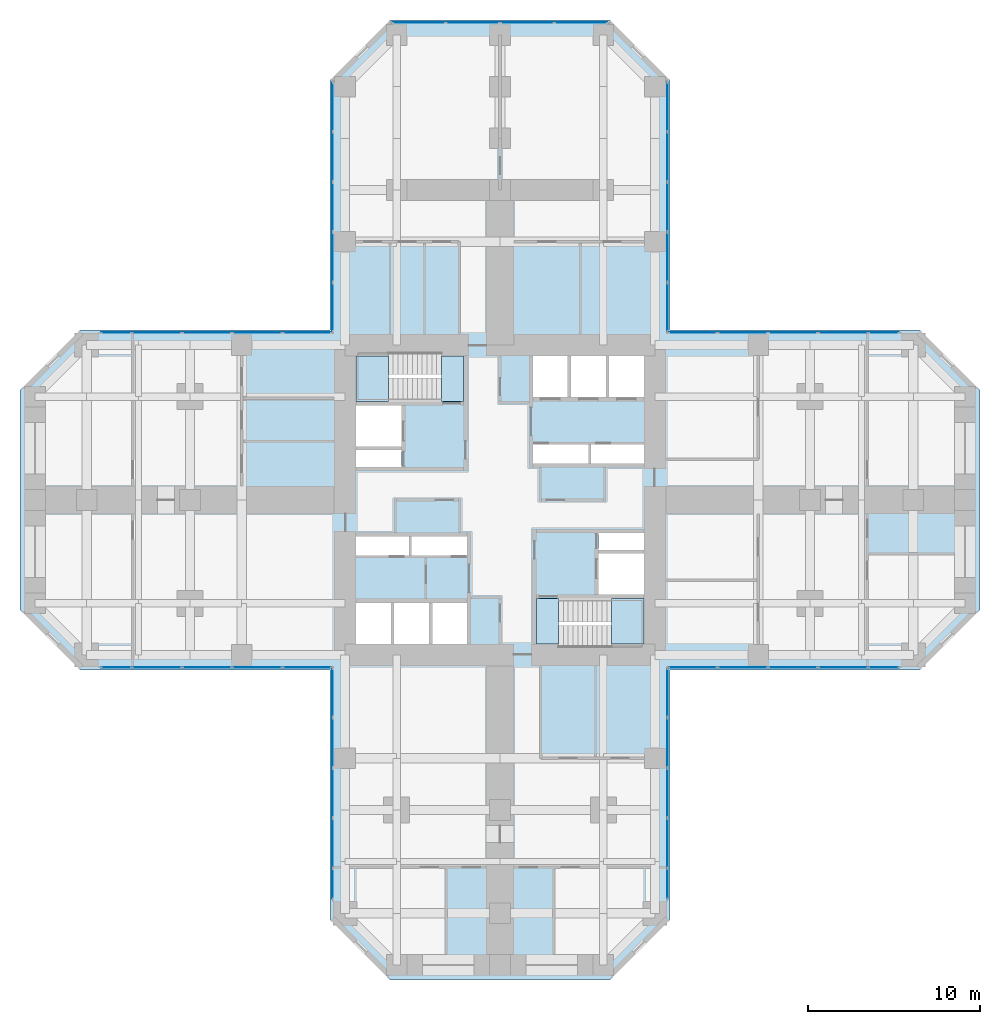
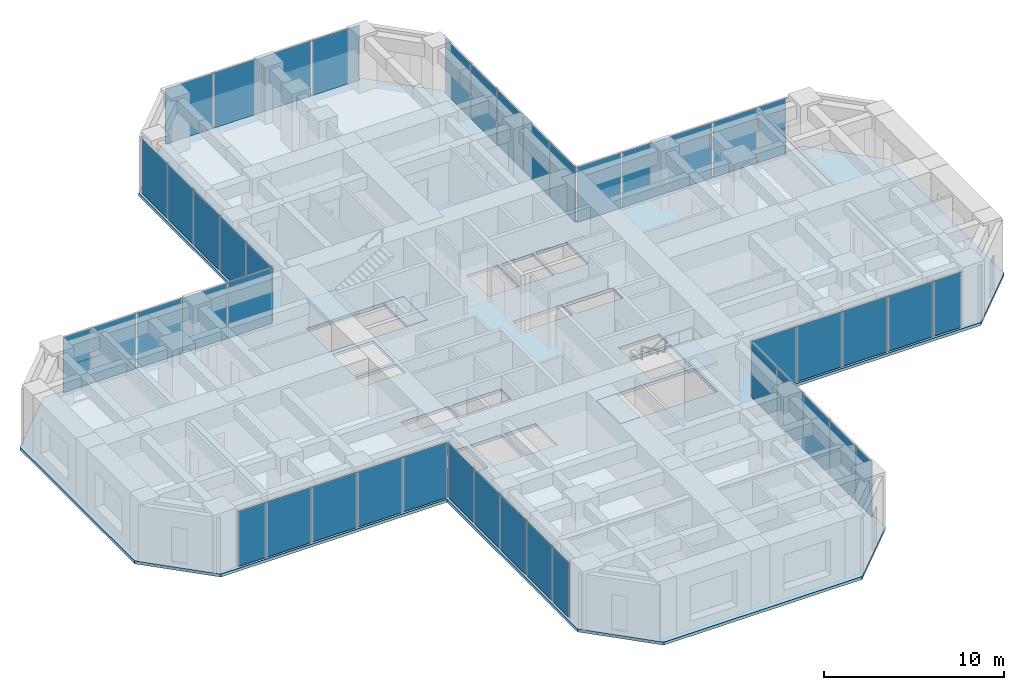
# One storey, part 7 of 13: 44 plates, 5 slabs, 11 elements without a shape of their own.
"""IFC4 building model written with IfcOpenShell, lengths in metres."""

from ifc_helpers import new_model, si_unit, direction, frame, origin, origin_2d, place, context, subcontext, project, spatial, polyline, rectangle, outline, extrude, material, layer, layer_set, type_object, element, aggregate, save


model = new_model("IFC4")

# Units and contexts
model_context = context("Model", 3, precision=1e-05, world=origin(), true_north=direction((0.0, 1.0)))
body_context = subcontext(model_context, "Body", "Model", "MODEL_VIEW")
ifc_project = project(units=[si_unit("LENGTHUNIT", "METRE"), si_unit("AREAUNIT", "SQUARE_METRE"), si_unit("VOLUMEUNIT", "CUBIC_METRE"), si_unit("PLANEANGLEUNIT", "RADIAN"), si_unit("MASSUNIT", "GRAM", prefix="KILO")], contexts=[model_context])

# Site, building, storey
site_placement = place(None, origin())
site = spatial("IfcSite", under=ifc_project, at=site_placement, CompositionType="ELEMENT")
building_placement = place(site_placement, origin())
building = spatial("IfcBuilding", under=site, at=building_placement, Name="Torre Cruceta", CompositionType="ELEMENT")
storey_placement = place(building_placement, frame((0.0, 0.0, 23.5)))
storey = spatial("IfcBuildingStorey", under=building, at=storey_placement, Name="L05", CompositionType="ELEMENT", Elevation=23.5)

# Curtain wall, plate
ifc_material_1 = material(Name="Aluminium unitised curtain wall", Category="aluminium")
curtain_wall_type = type_object("IfcCurtainWallType", Name="CURTAIN WALL CW-A OFFICE LOW RISE", PredefinedType="USERDEFINED", material=ifc_material_1)
curtain_wall_1_placement = place(storey_placement, origin())
curtain_wall_1 = element("IfcCurtainWall", 1, at=curtain_wall_1_placement, inside=storey, type_object=curtain_wall_type, Name="CW-A L05 E side 00", ObjectType="UNITISED", PredefinedType="USERDEFINED")
ifc_material_2 = material(Name="Laminated insulating glass unit, low-iron clear", Category="glass")
ifc_material_3 = material(Name="Laminated insulating glass unit, diagonal frit 50 %", Category="glass")
ifc_layer_1 = layer(ifc_material_3, 0.033935546875)
ifc_layer_set_1 = layer_set([ifc_layer_1], Name="Laminated insulating glass unit, diagonal frit 50 %")
plate_type_1 = type_object("IfcPlateType", Name="CW-A OPERABLE VENT PANEL 34", PredefinedType="CURTAIN_PANEL", material=ifc_layer_set_1)
plate_1_placement = place(storey_placement, frame((17.009033203125, -9.719970703125, 0.010009765625), z_axis=(0.0, 0.0, 1.0), x_axis=(1.0, 0.0, 0.0)))
plate_1 = element("IfcPlate", 2, at=plate_1_placement, type_object=plate_type_1, material=ifc_material_2, Name="CW-A vent 3", PredefinedType="CURTAIN_PANEL", context=body_context, shape_type="SweptSolid", body=[
    extrude(rectangle(XDim=2.8505859375, YDim=0.033935546875, at=origin_2d()), origin(), (0.0, 0.0, 1.0), 3.72509765625),
])

curtain_wall_2_placement = place(storey_placement, origin())
curtain_wall_2 = element("IfcCurtainWall", 3, at=curtain_wall_2_placement, inside=storey, type_object=curtain_wall_type, Name="CW-A L05 E side 04", ObjectType="UNITISED", PredefinedType="USERDEFINED")
plate_2_placement = place(storey_placement, frame((17.009033203125, 9.719970703125, 0.010009765625), z_axis=(0.0, 0.0, 1.0), x_axis=(-1.0, 0.0, 0.0)))
plate_2 = element("IfcPlate", 4, at=plate_2_placement, type_object=plate_type_1, material=ifc_material_2, Name="CW-A vent 3", PredefinedType="CURTAIN_PANEL", context=body_context, shape_type="SweptSolid", body=[
    extrude(rectangle(XDim=2.8505859375, YDim=0.033935546875, at=origin_2d()), origin(), (0.0, 0.0, 1.0), 3.72509765625),
])

curtain_wall_3_placement = place(storey_placement, origin())
curtain_wall_3 = element("IfcCurtainWall", 5, at=curtain_wall_3_placement, inside=storey, type_object=curtain_wall_type, Name="CW-A L05 N side 05", ObjectType="UNITISED", PredefinedType="USERDEFINED")
plate_3_placement = place(storey_placement, frame((9.719970703125, 17.009033203125, 0.010009765625), z_axis=(0.0, 0.0, 1.0), x_axis=(0.0, 1.0, 0.0)))
plate_3 = element("IfcPlate", 6, at=plate_3_placement, type_object=plate_type_1, material=ifc_material_2, Name="CW-A vent 3", PredefinedType="CURTAIN_PANEL", context=body_context, shape_type="SweptSolid", body=[
    extrude(rectangle(XDim=2.8505859375, YDim=0.033935546875, at=origin_2d()), origin(), (0.0, 0.0, 1.0), 3.72509765625),
])

curtain_wall_4_placement = place(storey_placement, origin())
curtain_wall_4 = element("IfcCurtainWall", 7, at=curtain_wall_4_placement, inside=storey, type_object=curtain_wall_type, Name="CW-A L05 N tip 07", ObjectType="UNITISED", PredefinedType="USERDEFINED")
plate_4_placement = place(storey_placement, frame((-1.574462890625, 27.719970703125, 0.010009765625), z_axis=(0.0, 0.0, 1.0), x_axis=(-1.0, 0.0, 0.0)))
plate_4 = element("IfcPlate", 8, at=plate_4_placement, type_object=plate_type_1, material=ifc_material_2, Name="CW-A vent 3", PredefinedType="CURTAIN_PANEL", context=body_context, shape_type="SweptSolid", body=[
    extrude(rectangle(XDim=3.084228515625, YDim=0.033935546875, at=origin_2d()), origin(), (0.0, 0.0, 1.0), 3.72509765625),
])

curtain_wall_5_placement = place(storey_placement, origin())
curtain_wall_5 = element("IfcCurtainWall", 9, at=curtain_wall_5_placement, inside=storey, type_object=curtain_wall_type, Name="CW-A L05 N side 09", ObjectType="UNITISED", PredefinedType="USERDEFINED")
plate_5_placement = place(storey_placement, frame((-9.719970703125, 17.009033203125, 0.010009765625), z_axis=(0.0, 0.0, 1.0), x_axis=(0.0, -1.0, 0.0)))
plate_5 = element("IfcPlate", 10, at=plate_5_placement, type_object=plate_type_1, material=ifc_material_2, Name="CW-A vent 3", PredefinedType="CURTAIN_PANEL", context=body_context, shape_type="SweptSolid", body=[
    extrude(rectangle(XDim=2.8505859375, YDim=0.033935546875, at=origin_2d()), origin(), (0.0, 0.0, 1.0), 3.72509765625),
])

curtain_wall_6_placement = place(storey_placement, origin())
curtain_wall_6 = element("IfcCurtainWall", 11, at=curtain_wall_6_placement, inside=storey, type_object=curtain_wall_type, Name="CW-A L05 W side 10", ObjectType="UNITISED", PredefinedType="USERDEFINED")
plate_6_placement = place(storey_placement, frame((-17.009033203125, 9.719970703125, 0.010009765625), z_axis=(0.0, 0.0, 1.0), x_axis=(-1.0, 0.0, 0.0)))
plate_6 = element("IfcPlate", 12, at=plate_6_placement, type_object=plate_type_1, material=ifc_material_2, Name="CW-A vent 3", PredefinedType="CURTAIN_PANEL", context=body_context, shape_type="SweptSolid", body=[
    extrude(rectangle(XDim=2.8505859375, YDim=0.033935546875, at=origin_2d()), origin(), (0.0, 0.0, 1.0), 3.72509765625),
])

curtain_wall_7_placement = place(storey_placement, origin())
curtain_wall_7 = element("IfcCurtainWall", 13, at=curtain_wall_7_placement, inside=storey, type_object=curtain_wall_type, Name="CW-A L05 W side 14", ObjectType="UNITISED", PredefinedType="USERDEFINED")
plate_7_placement = place(storey_placement, frame((-17.009033203125, -9.719970703125, 0.010009765625), z_axis=(0.0, 0.0, 1.0), x_axis=(1.0, 0.0, 0.0)))
plate_7 = element("IfcPlate", 14, at=plate_7_placement, type_object=plate_type_1, material=ifc_material_2, Name="CW-A vent 3", PredefinedType="CURTAIN_PANEL", context=body_context, shape_type="SweptSolid", body=[
    extrude(rectangle(XDim=2.8505859375, YDim=0.033935546875, at=origin_2d()), origin(), (0.0, 0.0, 1.0), 3.72509765625),
])

curtain_wall_8_placement = place(storey_placement, origin())
curtain_wall_8 = element("IfcCurtainWall", 15, at=curtain_wall_8_placement, inside=storey, type_object=curtain_wall_type, Name="CW-A L05 S side 15", ObjectType="UNITISED", PredefinedType="USERDEFINED")
plate_8_placement = place(storey_placement, frame((-9.719970703125, -17.009033203125, 0.010009765625), z_axis=(0.0, 0.0, 1.0), x_axis=(0.0, -1.0, 0.0)))
plate_8 = element("IfcPlate", 16, at=plate_8_placement, type_object=plate_type_1, material=ifc_material_2, Name="CW-A vent 3", PredefinedType="CURTAIN_PANEL", context=body_context, shape_type="SweptSolid", body=[
    extrude(rectangle(XDim=2.8505859375, YDim=0.033935546875, at=origin_2d()), origin(), (0.0, 0.0, 1.0), 3.72509765625),
])

curtain_wall_9_placement = place(storey_placement, origin())
curtain_wall_9 = element("IfcCurtainWall", 17, at=curtain_wall_9_placement, inside=storey, type_object=curtain_wall_type, Name="CW-A L05 S side 19", ObjectType="UNITISED", PredefinedType="USERDEFINED")
plate_9_placement = place(storey_placement, frame((9.719970703125, -17.009033203125, 0.010009765625), z_axis=(0.0, 0.0, 1.0), x_axis=(0.0, 1.0, 0.0)))
plate_9 = element("IfcPlate", 18, at=plate_9_placement, type_object=plate_type_1, material=ifc_material_2, Name="CW-A vent 3", PredefinedType="CURTAIN_PANEL", context=body_context, shape_type="SweptSolid", body=[
    extrude(rectangle(XDim=2.8505859375, YDim=0.033935546875, at=origin_2d()), origin(), (0.0, 0.0, 1.0), 3.72509765625),
])

# Plate
ifc_material_4 = material(Name="Laminated insulating glass unit, diagonal frit 50 %", Category="glass")
ifc_material_5 = material(Name="Laminated insulating glass unit, diagonal frit 50 %", Category="glass")
ifc_layer_2 = layer(ifc_material_5, 0.033935546875)
ifc_layer_set_2 = layer_set([ifc_layer_2], Name="Laminated insulating glass unit, diagonal frit 50 %")
plate_type_2 = type_object("IfcPlateType", Name="CW-A PANEL 34", PredefinedType="CURTAIN_PANEL", material=ifc_layer_set_2)
plate_10_placement = place(storey_placement, frame((11.194091796875, -9.719970703125, 0.010009765625), z_axis=(0.0, 0.0, 1.0), x_axis=(1.0, 0.0, 0.0)))
plate_10 = element("IfcPlate", 19, at=plate_10_placement, type_object=plate_type_2, material=ifc_material_4, Name="CW-A panel 1", PredefinedType="CURTAIN_PANEL", context=body_context, shape_type="SweptSolid", body=[
    extrude(rectangle(XDim=2.818115234375, YDim=0.033935546875, at=origin_2d()), origin(), (0.0, 0.0, 1.0), 3.72509765625),
])

plate_11_placement = place(storey_placement, frame((14.093505859375, -9.719970703125, 0.010009765625), z_axis=(0.0, 0.0, 1.0), x_axis=(1.0, 0.0, 0.0)))
plate_11 = element("IfcPlate", 20, at=plate_11_placement, type_object=plate_type_2, material=ifc_material_2, Name="CW-A panel 2", PredefinedType="CURTAIN_PANEL", context=body_context, shape_type="SweptSolid", body=[
    extrude(rectangle(XDim=2.8505859375, YDim=0.033935546875, at=origin_2d()), origin(), (0.0, 0.0, 1.0), 3.72509765625),
])

plate_12_placement = place(storey_placement, frame((19.9248046875, -9.719970703125, 0.010009765625), z_axis=(0.0, 0.0, 1.0), x_axis=(1.0, 0.0, 0.0)))
plate_12 = element("IfcPlate", 21, at=plate_12_placement, type_object=plate_type_2, material=ifc_material_4, Name="CW-A panel 4", PredefinedType="CURTAIN_PANEL", context=body_context, shape_type="SweptSolid", body=[
    extrude(rectangle(XDim=2.8505859375, YDim=0.033935546875, at=origin_2d()), origin(), (0.0, 0.0, 1.0), 3.72509765625),
])

plate_13_placement = place(storey_placement, frame((22.290771484375, -9.719970703125, 0.010009765625), z_axis=(0.0, 0.0, 1.0), x_axis=(1.0, 0.0, 0.0)))
plate_13 = element("IfcPlate", 22, at=plate_13_placement, type_object=plate_type_2, material=ifc_material_4, Name="CW-A panel 5", PredefinedType="CURTAIN_PANEL", context=body_context, shape_type="SweptSolid", body=[
    extrude(rectangle(XDim=1.75146484375, YDim=0.033935546875, at=origin_2d()), origin(), (0.0, 0.0, 1.0), 3.72509765625),
])

aggregate(curtain_wall_1, [plate_10, plate_11, plate_1, plate_12, plate_13])

plate_14_placement = place(storey_placement, frame((22.290771484375, 9.719970703125, 0.010009765625), z_axis=(0.0, 0.0, 1.0), x_axis=(-1.0, 0.0, 0.0)))
plate_14 = element("IfcPlate", 23, at=plate_14_placement, type_object=plate_type_2, material=ifc_material_4, Name="CW-A panel 1", PredefinedType="CURTAIN_PANEL", context=body_context, shape_type="SweptSolid", body=[
    extrude(rectangle(XDim=1.75146484375, YDim=0.033935546875, at=origin_2d()), origin(), (0.0, 0.0, 1.0), 3.72509765625),
])

plate_15_placement = place(storey_placement, frame((19.9248046875, 9.719970703125, 0.010009765625), z_axis=(0.0, 0.0, 1.0), x_axis=(-1.0, 0.0, 0.0)))
plate_15 = element("IfcPlate", 24, at=plate_15_placement, type_object=plate_type_2, material=ifc_material_2, Name="CW-A panel 2", PredefinedType="CURTAIN_PANEL", context=body_context, shape_type="SweptSolid", body=[
    extrude(rectangle(XDim=2.8505859375, YDim=0.033935546875, at=origin_2d()), origin(), (0.0, 0.0, 1.0), 3.72509765625),
])

plate_16_placement = place(storey_placement, frame((14.093505859375, 9.719970703125, 0.010009765625), z_axis=(0.0, 0.0, 1.0), x_axis=(-1.0, 0.0, 0.0)))
plate_16 = element("IfcPlate", 25, at=plate_16_placement, type_object=plate_type_2, material=ifc_material_4, Name="CW-A panel 4", PredefinedType="CURTAIN_PANEL", context=body_context, shape_type="SweptSolid", body=[
    extrude(rectangle(XDim=2.8505859375, YDim=0.033935546875, at=origin_2d()), origin(), (0.0, 0.0, 1.0), 3.72509765625),
])

plate_17_placement = place(storey_placement, frame((11.194091796875, 9.719970703125, 0.010009765625), z_axis=(0.0, 0.0, 1.0), x_axis=(-1.0, 0.0, 0.0)))
plate_17 = element("IfcPlate", 26, at=plate_17_placement, type_object=plate_type_2, material=ifc_material_4, Name="CW-A panel 5", PredefinedType="CURTAIN_PANEL", context=body_context, shape_type="SweptSolid", body=[
    extrude(rectangle(XDim=2.818115234375, YDim=0.033935546875, at=origin_2d()), origin(), (0.0, 0.0, 1.0), 3.72509765625),
])

aggregate(curtain_wall_2, [plate_14, plate_15, plate_2, plate_16, plate_17])

plate_18_placement = place(storey_placement, frame((9.719970703125, 11.194091796875, 0.010009765625), z_axis=(0.0, 0.0, 1.0), x_axis=(0.0, 1.0, 0.0)))
plate_18 = element("IfcPlate", 27, at=plate_18_placement, type_object=plate_type_2, material=ifc_material_4, Name="CW-A panel 1", PredefinedType="CURTAIN_PANEL", context=body_context, shape_type="SweptSolid", body=[
    extrude(rectangle(XDim=2.818115234375, YDim=0.033935546875, at=origin_2d()), origin(), (0.0, 0.0, 1.0), 3.72509765625),
])

plate_19_placement = place(storey_placement, frame((9.719970703125, 14.093505859375, 0.010009765625), z_axis=(0.0, 0.0, 1.0), x_axis=(0.0, 1.0, 0.0)))
plate_19 = element("IfcPlate", 28, at=plate_19_placement, type_object=plate_type_2, material=ifc_material_2, Name="CW-A panel 2", PredefinedType="CURTAIN_PANEL", context=body_context, shape_type="SweptSolid", body=[
    extrude(rectangle(XDim=2.8505859375, YDim=0.033935546875, at=origin_2d()), origin(), (0.0, 0.0, 1.0), 3.72509765625),
])

plate_20_placement = place(storey_placement, frame((9.719970703125, 19.9248046875, 0.010009765625), z_axis=(0.0, 0.0, 1.0), x_axis=(0.0, 1.0, 0.0)))
plate_20 = element("IfcPlate", 29, at=plate_20_placement, type_object=plate_type_2, material=ifc_material_4, Name="CW-A panel 4", PredefinedType="CURTAIN_PANEL", context=body_context, shape_type="SweptSolid", body=[
    extrude(rectangle(XDim=2.8505859375, YDim=0.033935546875, at=origin_2d()), origin(), (0.0, 0.0, 1.0), 3.72509765625),
])

plate_21_placement = place(storey_placement, frame((9.719970703125, 22.82421875, 0.010009765625), z_axis=(0.0, 0.0, 1.0), x_axis=(0.0, 1.0, 0.0)))
plate_21 = element("IfcPlate", 30, at=plate_21_placement, type_object=plate_type_2, material=ifc_material_4, Name="CW-A panel 5", PredefinedType="CURTAIN_PANEL", context=body_context, shape_type="SweptSolid", body=[
    extrude(rectangle(XDim=2.818115234375, YDim=0.033935546875, at=origin_2d()), origin(), (0.0, 0.0, 1.0), 3.72509765625),
])

aggregate(curtain_wall_3, [plate_18, plate_19, plate_3, plate_20, plate_21])

plate_22_placement = place(storey_placement, frame((4.70751953125, 27.719970703125, 0.010009765625), z_axis=(0.0, 0.0, 1.0), x_axis=(-1.0, 0.0, 0.0)))
plate_22 = element("IfcPlate", 31, at=plate_22_placement, type_object=plate_type_2, material=ifc_material_4, Name="CW-A panel 1", PredefinedType="CURTAIN_PANEL", context=body_context, shape_type="SweptSolid", body=[
    extrude(rectangle(XDim=3.051513671875, YDim=0.033935546875, at=origin_2d()), origin(), (0.0, 0.0, 1.0), 3.72509765625),
])

plate_23_placement = place(storey_placement, frame((1.574462890625, 27.719970703125, 0.010009765625), z_axis=(0.0, 0.0, 1.0), x_axis=(-1.0, 0.0, 0.0)))
plate_23 = element("IfcPlate", 32, at=plate_23_placement, type_object=plate_type_2, material=ifc_material_2, Name="CW-A panel 2", PredefinedType="CURTAIN_PANEL", context=body_context, shape_type="SweptSolid", body=[
    extrude(rectangle(XDim=3.084228515625, YDim=0.033935546875, at=origin_2d()), origin(), (0.0, 0.0, 1.0), 3.72509765625),
])

plate_24_placement = place(storey_placement, frame((-4.70751953125, 27.719970703125, 0.010009765625), z_axis=(0.0, 0.0, 1.0), x_axis=(-1.0, 0.0, 0.0)))
plate_24 = element("IfcPlate", 33, at=plate_24_placement, type_object=plate_type_2, material=ifc_material_4, Name="CW-A panel 4", PredefinedType="CURTAIN_PANEL", context=body_context, shape_type="SweptSolid", body=[
    extrude(rectangle(XDim=3.051513671875, YDim=0.033935546875, at=origin_2d()), origin(), (0.0, 0.0, 1.0), 3.72509765625),
])

aggregate(curtain_wall_4, [plate_22, plate_23, plate_4, plate_24])

plate_25_placement = place(storey_placement, frame((-9.719970703125, 22.82421875, 0.010009765625), z_axis=(0.0, 0.0, 1.0), x_axis=(0.0, -1.0, 0.0)))
plate_25 = element("IfcPlate", 34, at=plate_25_placement, type_object=plate_type_2, material=ifc_material_4, Name="CW-A panel 1", PredefinedType="CURTAIN_PANEL", context=body_context, shape_type="SweptSolid", body=[
    extrude(rectangle(XDim=2.818115234375, YDim=0.033935546875, at=origin_2d()), origin(), (0.0, 0.0, 1.0), 3.72509765625),
])

plate_26_placement = place(storey_placement, frame((-9.719970703125, 19.9248046875, 0.010009765625), z_axis=(0.0, 0.0, 1.0), x_axis=(0.0, -1.0, 0.0)))
plate_26 = element("IfcPlate", 35, at=plate_26_placement, type_object=plate_type_2, material=ifc_material_2, Name="CW-A panel 2", PredefinedType="CURTAIN_PANEL", context=body_context, shape_type="SweptSolid", body=[
    extrude(rectangle(XDim=2.8505859375, YDim=0.033935546875, at=origin_2d()), origin(), (0.0, 0.0, 1.0), 3.72509765625),
])

plate_27_placement = place(storey_placement, frame((-9.719970703125, 14.093505859375, 0.010009765625), z_axis=(0.0, 0.0, 1.0), x_axis=(0.0, -1.0, 0.0)))
plate_27 = element("IfcPlate", 36, at=plate_27_placement, type_object=plate_type_2, material=ifc_material_4, Name="CW-A panel 4", PredefinedType="CURTAIN_PANEL", context=body_context, shape_type="SweptSolid", body=[
    extrude(rectangle(XDim=2.8505859375, YDim=0.033935546875, at=origin_2d()), origin(), (0.0, 0.0, 1.0), 3.72509765625),
])

plate_28_placement = place(storey_placement, frame((-9.719970703125, 11.194091796875, 0.010009765625), z_axis=(0.0, 0.0, 1.0), x_axis=(0.0, -1.0, 0.0)))
plate_28 = element("IfcPlate", 37, at=plate_28_placement, type_object=plate_type_2, material=ifc_material_4, Name="CW-A panel 5", PredefinedType="CURTAIN_PANEL", context=body_context, shape_type="SweptSolid", body=[
    extrude(rectangle(XDim=2.818115234375, YDim=0.033935546875, at=origin_2d()), origin(), (0.0, 0.0, 1.0), 3.72509765625),
])

aggregate(curtain_wall_5, [plate_25, plate_26, plate_5, plate_27, plate_28])

plate_29_placement = place(storey_placement, frame((-11.194091796875, 9.719970703125, 0.010009765625), z_axis=(0.0, 0.0, 1.0), x_axis=(-1.0, 0.0, 0.0)))
plate_29 = element("IfcPlate", 38, at=plate_29_placement, type_object=plate_type_2, material=ifc_material_4, Name="CW-A panel 1", PredefinedType="CURTAIN_PANEL", context=body_context, shape_type="SweptSolid", body=[
    extrude(rectangle(XDim=2.818115234375, YDim=0.033935546875, at=origin_2d()), origin(), (0.0, 0.0, 1.0), 3.72509765625),
])

plate_30_placement = place(storey_placement, frame((-14.093505859375, 9.719970703125, 0.010009765625), z_axis=(0.0, 0.0, 1.0), x_axis=(-1.0, 0.0, 0.0)))
plate_30 = element("IfcPlate", 39, at=plate_30_placement, type_object=plate_type_2, material=ifc_material_2, Name="CW-A panel 2", PredefinedType="CURTAIN_PANEL", context=body_context, shape_type="SweptSolid", body=[
    extrude(rectangle(XDim=2.8505859375, YDim=0.033935546875, at=origin_2d()), origin(), (0.0, 0.0, 1.0), 3.72509765625),
])

plate_31_placement = place(storey_placement, frame((-19.9248046875, 9.719970703125, 0.010009765625), z_axis=(0.0, 0.0, 1.0), x_axis=(-1.0, 0.0, 0.0)))
plate_31 = element("IfcPlate", 40, at=plate_31_placement, type_object=plate_type_2, material=ifc_material_4, Name="CW-A panel 4", PredefinedType="CURTAIN_PANEL", context=body_context, shape_type="SweptSolid", body=[
    extrude(rectangle(XDim=2.8505859375, YDim=0.033935546875, at=origin_2d()), origin(), (0.0, 0.0, 1.0), 3.72509765625),
])

plate_32_placement = place(storey_placement, frame((-22.290771484375, 9.719970703125, 0.010009765625), z_axis=(0.0, 0.0, 1.0), x_axis=(-1.0, 0.0, 0.0)))
plate_32 = element("IfcPlate", 41, at=plate_32_placement, type_object=plate_type_2, material=ifc_material_4, Name="CW-A panel 5", PredefinedType="CURTAIN_PANEL", context=body_context, shape_type="SweptSolid", body=[
    extrude(rectangle(XDim=1.75146484375, YDim=0.033935546875, at=origin_2d()), origin(), (0.0, 0.0, 1.0), 3.72509765625),
])

aggregate(curtain_wall_6, [plate_29, plate_30, plate_6, plate_31, plate_32])

plate_33_placement = place(storey_placement, frame((-22.290771484375, -9.719970703125, 0.010009765625), z_axis=(0.0, 0.0, 1.0), x_axis=(1.0, 0.0, 0.0)))
plate_33 = element("IfcPlate", 42, at=plate_33_placement, type_object=plate_type_2, material=ifc_material_4, Name="CW-A panel 1", PredefinedType="CURTAIN_PANEL", context=body_context, shape_type="SweptSolid", body=[
    extrude(rectangle(XDim=1.75146484375, YDim=0.033935546875, at=origin_2d()), origin(), (0.0, 0.0, 1.0), 3.72509765625),
])

plate_34_placement = place(storey_placement, frame((-19.9248046875, -9.719970703125, 0.010009765625), z_axis=(0.0, 0.0, 1.0), x_axis=(1.0, 0.0, 0.0)))
plate_34 = element("IfcPlate", 43, at=plate_34_placement, type_object=plate_type_2, material=ifc_material_2, Name="CW-A panel 2", PredefinedType="CURTAIN_PANEL", context=body_context, shape_type="SweptSolid", body=[
    extrude(rectangle(XDim=2.8505859375, YDim=0.033935546875, at=origin_2d()), origin(), (0.0, 0.0, 1.0), 3.72509765625),
])

plate_35_placement = place(storey_placement, frame((-14.093505859375, -9.719970703125, 0.010009765625), z_axis=(0.0, 0.0, 1.0), x_axis=(1.0, 0.0, 0.0)))
plate_35 = element("IfcPlate", 44, at=plate_35_placement, type_object=plate_type_2, material=ifc_material_4, Name="CW-A panel 4", PredefinedType="CURTAIN_PANEL", context=body_context, shape_type="SweptSolid", body=[
    extrude(rectangle(XDim=2.8505859375, YDim=0.033935546875, at=origin_2d()), origin(), (0.0, 0.0, 1.0), 3.72509765625),
])

plate_36_placement = place(storey_placement, frame((-11.194091796875, -9.719970703125, 0.010009765625), z_axis=(0.0, 0.0, 1.0), x_axis=(1.0, 0.0, 0.0)))
plate_36 = element("IfcPlate", 45, at=plate_36_placement, type_object=plate_type_2, material=ifc_material_4, Name="CW-A panel 5", PredefinedType="CURTAIN_PANEL", context=body_context, shape_type="SweptSolid", body=[
    extrude(rectangle(XDim=2.818115234375, YDim=0.033935546875, at=origin_2d()), origin(), (0.0, 0.0, 1.0), 3.72509765625),
])

aggregate(curtain_wall_7, [plate_33, plate_34, plate_7, plate_35, plate_36])

plate_37_placement = place(storey_placement, frame((-9.719970703125, -11.194091796875, 0.010009765625), z_axis=(0.0, 0.0, 1.0), x_axis=(0.0, -1.0, 0.0)))
plate_37 = element("IfcPlate", 46, at=plate_37_placement, type_object=plate_type_2, material=ifc_material_4, Name="CW-A panel 1", PredefinedType="CURTAIN_PANEL", context=body_context, shape_type="SweptSolid", body=[
    extrude(rectangle(XDim=2.818115234375, YDim=0.033935546875, at=origin_2d()), origin(), (0.0, 0.0, 1.0), 3.72509765625),
])

plate_38_placement = place(storey_placement, frame((-9.719970703125, -14.093505859375, 0.010009765625), z_axis=(0.0, 0.0, 1.0), x_axis=(0.0, -1.0, 0.0)))
plate_38 = element("IfcPlate", 47, at=plate_38_placement, type_object=plate_type_2, material=ifc_material_2, Name="CW-A panel 2", PredefinedType="CURTAIN_PANEL", context=body_context, shape_type="SweptSolid", body=[
    extrude(rectangle(XDim=2.8505859375, YDim=0.033935546875, at=origin_2d()), origin(), (0.0, 0.0, 1.0), 3.72509765625),
])

plate_39_placement = place(storey_placement, frame((-9.719970703125, -19.9248046875, 0.010009765625), z_axis=(0.0, 0.0, 1.0), x_axis=(0.0, -1.0, 0.0)))
plate_39 = element("IfcPlate", 48, at=plate_39_placement, type_object=plate_type_2, material=ifc_material_4, Name="CW-A panel 4", PredefinedType="CURTAIN_PANEL", context=body_context, shape_type="SweptSolid", body=[
    extrude(rectangle(XDim=2.8505859375, YDim=0.033935546875, at=origin_2d()), origin(), (0.0, 0.0, 1.0), 3.72509765625),
])

plate_40_placement = place(storey_placement, frame((-9.719970703125, -22.290771484375, 0.010009765625), z_axis=(0.0, 0.0, 1.0), x_axis=(0.0, -1.0, 0.0)))
plate_40 = element("IfcPlate", 49, at=plate_40_placement, type_object=plate_type_2, material=ifc_material_4, Name="CW-A panel 5", PredefinedType="CURTAIN_PANEL", context=body_context, shape_type="SweptSolid", body=[
    extrude(rectangle(XDim=1.75146484375, YDim=0.033935546875, at=origin_2d()), origin(), (0.0, 0.0, 1.0), 3.72509765625),
])

aggregate(curtain_wall_8, [plate_37, plate_38, plate_8, plate_39, plate_40])

plate_41_placement = place(storey_placement, frame((9.719970703125, -22.290771484375, 0.010009765625), z_axis=(0.0, 0.0, 1.0), x_axis=(0.0, 1.0, 0.0)))
plate_41 = element("IfcPlate", 50, at=plate_41_placement, type_object=plate_type_2, material=ifc_material_4, Name="CW-A panel 1", PredefinedType="CURTAIN_PANEL", context=body_context, shape_type="SweptSolid", body=[
    extrude(rectangle(XDim=1.75146484375, YDim=0.033935546875, at=origin_2d()), origin(), (0.0, 0.0, 1.0), 3.72509765625),
])

plate_42_placement = place(storey_placement, frame((9.719970703125, -19.9248046875, 0.010009765625), z_axis=(0.0, 0.0, 1.0), x_axis=(0.0, 1.0, 0.0)))
plate_42 = element("IfcPlate", 51, at=plate_42_placement, type_object=plate_type_2, material=ifc_material_2, Name="CW-A panel 2", PredefinedType="CURTAIN_PANEL", context=body_context, shape_type="SweptSolid", body=[
    extrude(rectangle(XDim=2.8505859375, YDim=0.033935546875, at=origin_2d()), origin(), (0.0, 0.0, 1.0), 3.72509765625),
])

plate_43_placement = place(storey_placement, frame((9.719970703125, -14.093505859375, 0.010009765625), z_axis=(0.0, 0.0, 1.0), x_axis=(0.0, 1.0, 0.0)))
plate_43 = element("IfcPlate", 52, at=plate_43_placement, type_object=plate_type_2, material=ifc_material_4, Name="CW-A panel 4", PredefinedType="CURTAIN_PANEL", context=body_context, shape_type="SweptSolid", body=[
    extrude(rectangle(XDim=2.8505859375, YDim=0.033935546875, at=origin_2d()), origin(), (0.0, 0.0, 1.0), 3.72509765625),
])

plate_44_placement = place(storey_placement, frame((9.719970703125, -11.194091796875, 0.010009765625), z_axis=(0.0, 0.0, 1.0), x_axis=(0.0, 1.0, 0.0)))
plate_44 = element("IfcPlate", 53, at=plate_44_placement, type_object=plate_type_2, material=ifc_material_4, Name="CW-A panel 5", PredefinedType="CURTAIN_PANEL", context=body_context, shape_type="SweptSolid", body=[
    extrude(rectangle(XDim=2.818115234375, YDim=0.033935546875, at=origin_2d()), origin(), (0.0, 0.0, 1.0), 3.72509765625),
])

aggregate(curtain_wall_9, [plate_41, plate_42, plate_9, plate_43, plate_44])

# Slab
ifc_material_6 = material(Name="Concrete G35 (fck 35 MPa)", Category="concrete")
ifc_layer_3 = layer(ifc_material_6, 0.199951171875)
ifc_layer_set_3 = layer_set([ifc_layer_3], Name="Concrete G35 (fck 35 MPa)")
slab_type_1 = type_object("IfcSlabType", Name="FLOOR SLAB 200", PredefinedType="FLOOR", material=ifc_layer_set_3)
slab_1_placement = place(storey_placement, frame((0.0, 0.0, -0.199951171875)))
element("IfcSlab", 54, at=slab_1_placement, inside=storey, type_object=slab_type_1, Name="Floor Slab L05", PredefinedType="FLOOR", context=body_context, shape_type="SweptSolid", body=[
    extrude(outline(polyline([(9.8701171875, -9.8701171875), (9.8701171875, -24.3603515625), (6.3603515625, -27.8701171875), (-6.3603515625, -27.8701171875), (-9.8701171875, -24.3603515625), (-9.8701171875, -9.8701171875), (-24.3603515625, -9.8701171875), (-27.8701171875, -6.3603515625), (-27.8701171875, 6.3603515625), (-24.3603515625, 9.8701171875), (-9.8701171875, 9.8701171875), (-9.8701171875, 24.3603515625), (-6.3603515625, 27.8701171875), (6.3603515625, 27.8701171875), (9.8701171875, 24.3603515625), (9.8701171875, 9.8701171875), (24.3603515625, 9.8701171875), (27.8701171875, 6.3603515625), (27.8701171875, -6.3603515625), (24.3603515625, -9.8701171875), (9.8701171875, -9.8701171875)]), holes=[polyline([(1.925048828125, 5.97509765625), (3.933349609375, 5.97509765625), (3.933349609375, 8.35009765625), (1.925048828125, 8.35009765625), (1.925048828125, 5.97509765625)]), polyline([(4.13330078125, 5.97509765625), (6.1416015625, 5.97509765625), (6.1416015625, 8.35009765625), (4.13330078125, 8.35009765625), (4.13330078125, 5.97509765625)]), polyline([(6.341552734375, 5.97509765625), (8.35009765625, 5.97509765625), (8.35009765625, 8.35009765625), (6.341552734375, 8.35009765625), (6.341552734375, 5.97509765625)]), polyline([(1.925048828125, 2.125), (5.125, 2.125), (5.125, 3.22509765625), (1.925048828125, 3.22509765625), (1.925048828125, 2.125)]), polyline([(5.27490234375, 2.125), (8.35009765625, 2.125), (8.35009765625, 3.22509765625), (5.27490234375, 3.22509765625), (5.27490234375, 2.125)]), polyline([(-8.35009765625, 3.10009765625), (-5.72509765625, 3.10009765625), (-5.72509765625, 5.47509765625), (-8.35009765625, 5.47509765625), (-8.35009765625, 3.10009765625)]), polyline([(-8.35009765625, 1.925048828125), (-5.72509765625, 1.925048828125), (-5.72509765625, 2.89990234375), (-8.35009765625, 2.89990234375), (-8.35009765625, 1.925048828125)]), polyline([(-3.933349609375, -8.35009765625), (-1.925048828125, -8.35009765625), (-1.925048828125, -5.97509765625), (-3.933349609375, -5.97509765625), (-3.933349609375, -8.35009765625)]), polyline([(-6.1416015625, -8.35009765625), (-4.13330078125, -8.35009765625), (-4.13330078125, -5.97509765625), (-6.1416015625, -5.97509765625), (-6.1416015625, -8.35009765625)]), polyline([(-8.35009765625, -8.35009765625), (-6.341552734375, -8.35009765625), (-6.341552734375, -5.97509765625), (-8.35009765625, -5.97509765625), (-8.35009765625, -8.35009765625)]), polyline([(-5.125, -3.22509765625), (-1.925048828125, -3.22509765625), (-1.925048828125, -2.125), (-5.125, -2.125), (-5.125, -3.22509765625)]), polyline([(-8.35009765625, -3.22509765625), (-5.27490234375, -3.22509765625), (-5.27490234375, -2.125), (-8.35009765625, -2.125), (-8.35009765625, -3.22509765625)]), polyline([(5.72509765625, -5.47509765625), (8.35009765625, -5.47509765625), (8.35009765625, -3.10009765625), (5.72509765625, -3.10009765625), (5.72509765625, -5.47509765625)]), polyline([(5.72509765625, -2.89990234375), (8.35009765625, -2.89990234375), (8.35009765625, -1.925048828125), (5.72509765625, -1.925048828125), (5.72509765625, -2.89990234375)]), polyline([(-8.35009765625, 5.72509765625), (-8.35009765625, 8.35009765625), (-3.39990234375, 8.35009765625), (-2.125, 8.35009765625), (-2.125, 5.72509765625), (-3.39990234375, 5.72509765625), (-8.35009765625, 5.72509765625)]), polyline([(2.125, -5.72509765625), (3.39990234375, -5.72509765625), (8.35009765625, -5.72509765625), (8.35009765625, -8.35009765625), (3.39990234375, -8.35009765625), (2.125, -8.35009765625), (2.125, -5.72509765625)])]), origin(), (0.0, 0.0, 1.0), 0.199951171875),
])

# Stair, slab
ifc_material_7 = material(Name="Concrete G30 (fck 30 MPa)", Category="concrete")
stair_type = type_object("IfcStairType", Name="STAIR HALF-TURN 1300", PredefinedType="HALF_TURN_STAIR", material=ifc_material_7)
stair_1_placement = place(storey_placement, origin())
stair_1 = element("IfcStair", 55, at=stair_1_placement, inside=storey, type_object=stair_type, Name="Stair ST1 L05", PredefinedType="HALF_TURN_STAIR")
ifc_material_8 = material(Name="Concrete G30 (fck 30 MPa)", Category="concrete")
ifc_layer_4 = layer(ifc_material_8, 0.199951171875)
ifc_layer_set_4 = layer_set([ifc_layer_4], Name="Concrete G30 (fck 30 MPa)")
slab_type_2 = type_object("IfcSlabType", Name="STAIR LANDING 200", PredefinedType="LANDING", material=ifc_layer_set_4)
slab_2_placement = place(storey_placement, frame((0.0, 0.0, 1.800048828125)))
slab_2 = element("IfcSlab", 56, at=slab_2_placement, type_object=slab_type_2, Name="ST1 landing 1", PredefinedType="LANDING", context=body_context, shape_type="SweptSolid", body=[
    extrude(outline(polyline([(-8.35009765625, 5.72509765625), (-6.47998046875, 5.72509765625), (-6.47998046875, 8.35009765625), (-8.35009765625, 8.35009765625), (-8.35009765625, 5.72509765625)])), origin(), (0.0, 0.0, 1.0), 0.199951171875),
])
aggregate(stair_1, [slab_2])

stair_2_placement = place(storey_placement, origin())
stair_2 = element("IfcStair", 57, at=stair_2_placement, inside=storey, type_object=stair_type, Name="Stair ST2 L05", PredefinedType="HALF_TURN_STAIR")
slab_3_placement = place(storey_placement, frame((0.0, 0.0, 1.800048828125)))
slab_3 = element("IfcSlab", 58, at=slab_3_placement, type_object=slab_type_2, Name="ST2 landing 1", PredefinedType="LANDING", context=body_context, shape_type="SweptSolid", body=[
    extrude(outline(polyline([(6.47998046875, -8.35009765625), (8.35009765625, -8.35009765625), (8.35009765625, -5.72509765625), (6.47998046875, -5.72509765625), (6.47998046875, -8.35009765625)])), origin(), (0.0, 0.0, 1.0), 0.199951171875),
])
aggregate(stair_2, [slab_3])

# Slabs
slab_4_placement = place(storey_placement, frame((0.0, 0.0, -0.199951171875)))
element("IfcSlab", 59, at=slab_4_placement, inside=storey, type_object=slab_type_2, Name="Stair ST1 floor landing L05", PredefinedType="LANDING", context=body_context, shape_type="SweptSolid", body=[
    extrude(outline(polyline([(-2.125, 8.35009765625), (-2.125, 5.72509765625), (-3.39990234375, 5.72509765625), (-3.39990234375, 8.35009765625), (-2.125, 8.35009765625)])), origin(), (0.0, 0.0, 1.0), 0.199951171875),
])
slab_5_placement = place(storey_placement, frame((0.0, 0.0, -0.199951171875)))
element("IfcSlab", 60, at=slab_5_placement, inside=storey, type_object=slab_type_2, Name="Stair ST2 floor landing L05", PredefinedType="LANDING", context=body_context, shape_type="SweptSolid", body=[
    extrude(outline(polyline([(2.125, -8.35009765625), (2.125, -5.72509765625), (3.39990234375, -5.72509765625), (3.39990234375, -8.35009765625), (2.125, -8.35009765625)])), origin(), (0.0, 0.0, 1.0), 0.199951171875),
])

save(model, "model.ifc")
